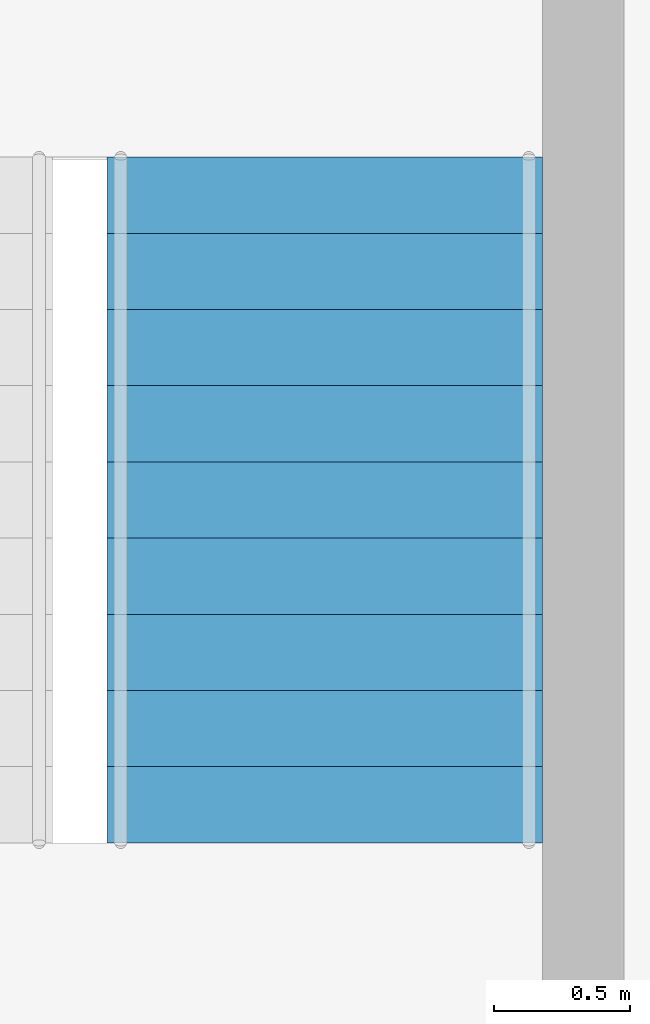
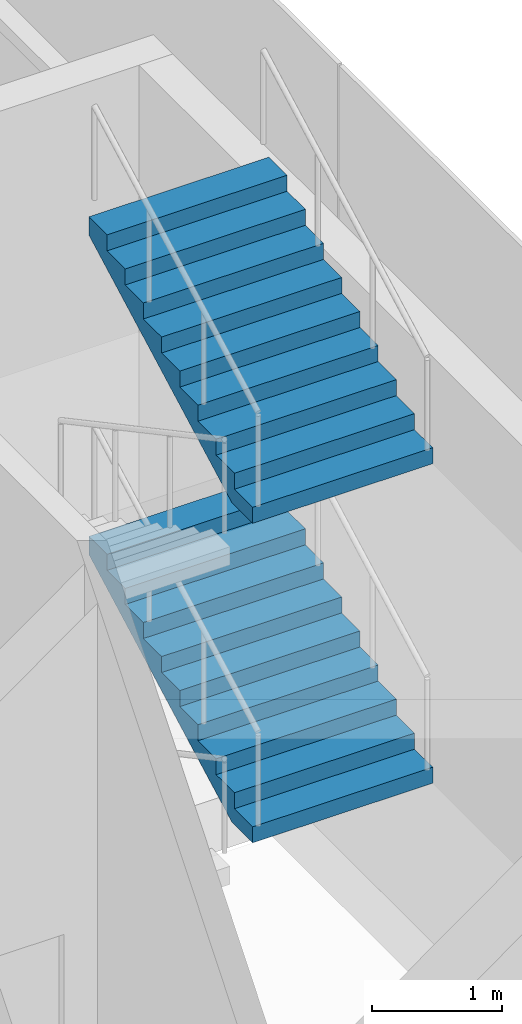
# One storey, part 77 of 100: 2 stair flights, 1 element without a shape of its own.
"""IFC4 building model written with IfcOpenShell, lengths in metres."""

from ifc_helpers import new_model, si_unit, direction, frame, origin, place, context, subcontext, project, spatial, triangles, material, type_object, element, aggregate, save


model = new_model("IFC4")

# Units and contexts
model_context = context("Model", 3, precision=1e-05, world=origin(), true_north=direction((0.0, 1.0)))
body_context = subcontext(model_context, "Body", "Model", "MODEL_VIEW")
ifc_project = project(units=[si_unit("LENGTHUNIT", "METRE"), si_unit("AREAUNIT", "SQUARE_METRE"), si_unit("VOLUMEUNIT", "CUBIC_METRE"), si_unit("PLANEANGLEUNIT", "RADIAN"), si_unit("MASSUNIT", "GRAM", prefix="KILO")], contexts=[model_context])

# Site, building, storey
site_placement = place(None, origin())
site = spatial("IfcSite", under=ifc_project, at=site_placement, CompositionType="ELEMENT")
building_placement = place(site_placement, origin())
building = spatial("IfcBuilding", under=site, at=building_placement, Name="Hakoniwa Tower and Hamabe Station Hall", CompositionType="ELEMENT")
storey_placement = place(building_placement, frame((0.0, 0.0, 9.0)))
storey = spatial("IfcBuildingStorey", under=building, at=storey_placement, Name="L02", CompositionType="ELEMENT", Elevation=9.0)

# Stair, stair flights
ifc_material_1 = material(Name="Concrete C40", Category="concrete")
stair_type = type_object("IfcStairType", Name="STAIR 1600 10X150", PredefinedType="HALF_TURN_STAIR", material=ifc_material_1)
stair_placement = place(storey_placement, origin())
stair = element("IfcStair", 1, at=stair_placement, inside=storey, type_object=stair_type, Name="Escape stair SS4 L02", PredefinedType="HALF_TURN_STAIR")
ifc_material_2 = material(Name="Concrete C40", Category="concrete")
stair_flight_type = type_object("IfcStairFlightType", Name="STAIR FLIGHT 1600", PredefinedType="STRAIGHT", material=ifc_material_2)
stair_flight_1_placement = place(storey_placement, frame((167.64990234375, -19.419921875, 1.5), z_axis=(0.0, 0.0, 1.0), x_axis=(0.0, 1.0, 0.0)))
stair_flight_1 = element("IfcStairFlight", 2, at=stair_flight_1_placement, type_object=stair_flight_type, Name="SS4 flight 2", NumberOfRisers=10, NumberOfTreads=9, PredefinedType="STRAIGHT", RiserHeight=0.15, TreadLength=0.28, context=body_context, shape_type="Tessellation", body=[
    triangles([(0.0, 0.800048828125, 0.0), (0.280029296875, 0.800048828125, 0.0), (0.3173828125, 0.800048828125, 0.0), (0.56005859375, 0.800048828125, 0.1298828125), (0.840087890625, 0.800048828125, 0.280029296875), (1.1201171875, 0.800048828125, 0.429931640625), (1.39990234375, 0.800048828125, 0.579833984375), (1.679931640625, 0.800048828125, 0.72998046875), (1.9599609375, 0.800048828125, 0.8798828125), (2.239990234375, 0.800048828125, 1.030029296875), (2.52001953125, 0.800048828125, 1.179931640625), (2.52001953125, 0.800048828125, 1.35009765625), (2.239990234375, 0.800048828125, 1.35009765625), (2.239990234375, 0.800048828125, 1.199951171875), (1.9599609375, 0.800048828125, 1.199951171875), (1.9599609375, 0.800048828125, 1.050048828125), (1.679931640625, 0.800048828125, 1.050048828125), (1.679931640625, 0.800048828125, 0.89990234375), (1.39990234375, 0.800048828125, 0.89990234375), (1.39990234375, 0.800048828125, 0.75), (1.1201171875, 0.800048828125, 0.75), (1.1201171875, 0.800048828125, 0.60009765625), (0.840087890625, 0.800048828125, 0.60009765625), (0.840087890625, 0.800048828125, 0.449951171875), (0.56005859375, 0.800048828125, 0.449951171875), (0.56005859375, 0.800048828125, 0.300048828125), (0.3173828125, 0.800048828125, 0.300048828125), (0.280029296875, 0.800048828125, 0.300048828125), (0.280029296875, 0.800048828125, 0.14990234375), (0.0, 0.800048828125, 0.14990234375), (0.0, 0.06005859375, 0.0), (0.280029296875, 0.06005859375, 0.0), (0.3173828125, 0.06005859375, 0.0), (0.56005859375, 0.06005859375, 0.1298828125), (0.840087890625, 0.06005859375, 0.280029296875), (1.1201171875, 0.06005859375, 0.429931640625), (1.39990234375, 0.06005859375, 0.579833984375), (1.679931640625, 0.06005859375, 0.72998046875), (1.9599609375, 0.06005859375, 0.8798828125), (2.239990234375, 0.06005859375, 1.030029296875), (2.52001953125, 0.06005859375, 1.179931640625), (2.52001953125, 0.06005859375, 1.35009765625), (2.239990234375, 0.06005859375, 1.35009765625), (2.239990234375, 0.06005859375, 1.199951171875), (1.9599609375, 0.06005859375, 1.199951171875), (1.9599609375, 0.06005859375, 1.050048828125), (1.679931640625, 0.06005859375, 1.050048828125), (1.679931640625, 0.06005859375, 0.89990234375), (1.39990234375, 0.06005859375, 0.89990234375), (1.39990234375, 0.06005859375, 0.75), (1.1201171875, 0.06005859375, 0.75), (1.1201171875, 0.06005859375, 0.60009765625), (0.840087890625, 0.06005859375, 0.60009765625), (0.840087890625, 0.06005859375, 0.449951171875), (0.56005859375, 0.06005859375, 0.449951171875), (0.56005859375, 0.06005859375, 0.300048828125), (0.3173828125, 0.06005859375, 0.300048828125), (0.280029296875, 0.06005859375, 0.300048828125), (0.280029296875, 0.06005859375, 0.14990234375), (0.0, 0.06005859375, 0.14990234375), (0.0, 0.02001953125, 0.0), (0.280029296875, 0.02001953125, 0.0), (0.3173828125, 0.02001953125, 0.0), (0.56005859375, 0.02001953125, 0.1298828125), (0.840087890625, 0.02001953125, 0.280029296875), (1.1201171875, 0.02001953125, 0.429931640625), (1.39990234375, 0.02001953125, 0.579833984375), (1.679931640625, 0.02001953125, 0.72998046875), (1.9599609375, 0.02001953125, 0.8798828125), (2.239990234375, 0.02001953125, 1.030029296875), (2.52001953125, 0.02001953125, 1.179931640625), (2.52001953125, 0.02001953125, 1.35009765625), (2.239990234375, 0.02001953125, 1.35009765625), (2.239990234375, 0.02001953125, 1.199951171875), (1.9599609375, 0.02001953125, 1.199951171875), (1.9599609375, 0.02001953125, 1.050048828125), (1.679931640625, 0.02001953125, 1.050048828125), (1.679931640625, 0.02001953125, 0.89990234375), (1.39990234375, 0.02001953125, 0.89990234375), (1.39990234375, 0.02001953125, 0.75), (1.1201171875, 0.02001953125, 0.75), (1.1201171875, 0.02001953125, 0.60009765625), (0.840087890625, 0.02001953125, 0.60009765625), (0.840087890625, 0.02001953125, 0.449951171875), (0.56005859375, 0.02001953125, 0.449951171875), (0.56005859375, 0.02001953125, 0.300048828125), (0.3173828125, 0.02001953125, 0.300048828125), (0.280029296875, 0.02001953125, 0.300048828125), (0.280029296875, 0.02001953125, 0.14990234375), (0.0, 0.02001953125, 0.14990234375), (0.0, -0.02001953125, 0.0), (0.280029296875, -0.02001953125, 0.0), (0.3173828125, -0.02001953125, 0.0), (0.56005859375, -0.02001953125, 0.1298828125), (0.840087890625, -0.02001953125, 0.280029296875), (1.1201171875, -0.02001953125, 0.429931640625), (1.39990234375, -0.02001953125, 0.579833984375), (1.679931640625, -0.02001953125, 0.72998046875), (1.9599609375, -0.02001953125, 0.8798828125), (2.239990234375, -0.02001953125, 1.030029296875), (2.52001953125, -0.02001953125, 1.179931640625), (2.52001953125, -0.02001953125, 1.35009765625), (2.239990234375, -0.02001953125, 1.35009765625), (2.239990234375, -0.02001953125, 1.199951171875), (1.9599609375, -0.02001953125, 1.199951171875), (1.9599609375, -0.02001953125, 1.050048828125), (1.679931640625, -0.02001953125, 1.050048828125), (1.679931640625, -0.02001953125, 0.89990234375), (1.39990234375, -0.02001953125, 0.89990234375), (1.39990234375, -0.02001953125, 0.75), (1.1201171875, -0.02001953125, 0.75), (1.1201171875, -0.02001953125, 0.60009765625), (0.840087890625, -0.02001953125, 0.60009765625), (0.840087890625, -0.02001953125, 0.449951171875), (0.56005859375, -0.02001953125, 0.449951171875), (0.56005859375, -0.02001953125, 0.300048828125), (0.3173828125, -0.02001953125, 0.300048828125), (0.280029296875, -0.02001953125, 0.300048828125), (0.280029296875, -0.02001953125, 0.14990234375), (0.0, -0.02001953125, 0.14990234375), (0.0, -0.06005859375, 0.0), (0.280029296875, -0.06005859375, 0.0), (0.3173828125, -0.06005859375, 0.0), (0.56005859375, -0.06005859375, 0.1298828125), (0.840087890625, -0.06005859375, 0.280029296875), (1.1201171875, -0.06005859375, 0.429931640625), (1.39990234375, -0.06005859375, 0.579833984375), (1.679931640625, -0.06005859375, 0.72998046875), (1.9599609375, -0.06005859375, 0.8798828125), (2.239990234375, -0.06005859375, 1.030029296875), (2.52001953125, -0.06005859375, 1.179931640625), (2.52001953125, -0.06005859375, 1.35009765625), (2.239990234375, -0.06005859375, 1.35009765625), (2.239990234375, -0.06005859375, 1.199951171875), (1.9599609375, -0.06005859375, 1.199951171875), (1.9599609375, -0.06005859375, 1.050048828125), (1.679931640625, -0.06005859375, 1.050048828125), (1.679931640625, -0.06005859375, 0.89990234375), (1.39990234375, -0.06005859375, 0.89990234375), (1.39990234375, -0.06005859375, 0.75), (1.1201171875, -0.06005859375, 0.75), (1.1201171875, -0.06005859375, 0.60009765625), (0.840087890625, -0.06005859375, 0.60009765625), (0.840087890625, -0.06005859375, 0.449951171875), (0.56005859375, -0.06005859375, 0.449951171875), (0.56005859375, -0.06005859375, 0.300048828125), (0.3173828125, -0.06005859375, 0.300048828125), (0.280029296875, -0.06005859375, 0.300048828125), (0.280029296875, -0.06005859375, 0.14990234375), (0.0, -0.06005859375, 0.14990234375), (0.0, -0.800048828125, 0.0), (0.280029296875, -0.800048828125, 0.0), (0.3173828125, -0.800048828125, 0.0), (0.56005859375, -0.800048828125, 0.1298828125), (0.840087890625, -0.800048828125, 0.280029296875), (1.1201171875, -0.800048828125, 0.429931640625), (1.39990234375, -0.800048828125, 0.579833984375), (1.679931640625, -0.800048828125, 0.72998046875), (1.9599609375, -0.800048828125, 0.8798828125), (2.239990234375, -0.800048828125, 1.030029296875), (2.52001953125, -0.800048828125, 1.179931640625), (2.52001953125, -0.800048828125, 1.35009765625), (2.239990234375, -0.800048828125, 1.35009765625), (2.239990234375, -0.800048828125, 1.199951171875), (1.9599609375, -0.800048828125, 1.199951171875), (1.9599609375, -0.800048828125, 1.050048828125), (1.679931640625, -0.800048828125, 1.050048828125), (1.679931640625, -0.800048828125, 0.89990234375), (1.39990234375, -0.800048828125, 0.89990234375), (1.39990234375, -0.800048828125, 0.75), (1.1201171875, -0.800048828125, 0.75), (1.1201171875, -0.800048828125, 0.60009765625), (0.840087890625, -0.800048828125, 0.60009765625), (0.840087890625, -0.800048828125, 0.449951171875), (0.56005859375, -0.800048828125, 0.449951171875), (0.56005859375, -0.800048828125, 0.300048828125), (0.3173828125, -0.800048828125, 0.300048828125), (0.280029296875, -0.800048828125, 0.300048828125), (0.280029296875, -0.800048828125, 0.14990234375), (0.0, -0.800048828125, 0.14990234375)], [[2, 30, 29], [152, 179, 180], [2, 1, 30], [152, 180, 151], [3, 28, 27], [153, 177, 178], [3, 29, 28], [153, 178, 179], [3, 2, 29], [153, 179, 152], [4, 27, 26], [154, 176, 177], [4, 3, 27], [154, 177, 153], [5, 25, 24], [155, 174, 175], [5, 26, 25], [155, 175, 176], [5, 4, 26], [155, 176, 154], [6, 23, 22], [156, 172, 173], [6, 24, 23], [156, 173, 174], [6, 5, 24], [156, 174, 155], [7, 21, 20], [157, 170, 171], [7, 22, 21], [157, 171, 172], [7, 6, 22], [157, 172, 156], [8, 19, 18], [158, 168, 169], [8, 20, 19], [158, 169, 170], [8, 7, 20], [158, 170, 157], [9, 17, 16], [159, 166, 167], [9, 18, 17], [159, 167, 168], [9, 8, 18], [159, 168, 158], [10, 15, 14], [160, 164, 165], [10, 16, 15], [160, 165, 166], [10, 9, 16], [160, 166, 159], [11, 13, 12], [161, 162, 163], [11, 14, 13], [161, 163, 164], [11, 10, 14], [161, 164, 160], [1, 2, 32], [1, 32, 31], [31, 32, 62], [31, 62, 61], [61, 62, 92], [61, 92, 91], [91, 92, 122], [91, 122, 121], [121, 122, 152], [121, 152, 151], [2, 3, 33], [2, 33, 32], [32, 33, 63], [32, 63, 62], [62, 63, 93], [62, 93, 92], [92, 93, 123], [92, 123, 122], [122, 123, 153], [122, 153, 152], [3, 4, 34], [3, 34, 33], [33, 34, 64], [33, 64, 63], [63, 64, 94], [63, 94, 93], [93, 94, 124], [93, 124, 123], [123, 124, 154], [123, 154, 153], [4, 5, 35], [4, 35, 34], [34, 35, 65], [34, 65, 64], [64, 65, 95], [64, 95, 94], [94, 95, 125], [94, 125, 124], [124, 125, 155], [124, 155, 154], [5, 6, 36], [5, 36, 35], [35, 36, 66], [35, 66, 65], [65, 66, 96], [65, 96, 95], [95, 96, 126], [95, 126, 125], [125, 126, 156], [125, 156, 155], [6, 7, 37], [6, 37, 36], [36, 37, 67], [36, 67, 66], [66, 67, 97], [66, 97, 96], [96, 97, 127], [96, 127, 126], [126, 127, 157], [126, 157, 156], [7, 8, 38], [7, 38, 37], [37, 38, 68], [37, 68, 67], [67, 68, 98], [67, 98, 97], [97, 98, 128], [97, 128, 127], [127, 128, 158], [127, 158, 157], [8, 9, 39], [8, 39, 38], [38, 39, 69], [38, 69, 68], [68, 69, 99], [68, 99, 98], [98, 99, 129], [98, 129, 128], [128, 129, 159], [128, 159, 158], [9, 10, 40], [9, 40, 39], [39, 40, 70], [39, 70, 69], [69, 70, 100], [69, 100, 99], [99, 100, 130], [99, 130, 129], [129, 130, 160], [129, 160, 159], [10, 11, 41], [10, 41, 40], [40, 41, 71], [40, 71, 70], [70, 71, 101], [70, 101, 100], [100, 101, 131], [100, 131, 130], [130, 131, 161], [130, 161, 160], [11, 12, 42], [11, 42, 41], [41, 42, 72], [41, 72, 71], [71, 72, 102], [71, 102, 101], [101, 102, 132], [101, 132, 131], [131, 132, 162], [131, 162, 161], [12, 13, 43], [12, 43, 42], [42, 43, 73], [42, 73, 72], [72, 73, 103], [72, 103, 102], [102, 103, 133], [102, 133, 132], [132, 133, 163], [132, 163, 162], [13, 14, 44], [13, 44, 43], [43, 44, 74], [43, 74, 73], [73, 74, 104], [73, 104, 103], [103, 104, 134], [103, 134, 133], [133, 134, 164], [133, 164, 163], [14, 15, 45], [14, 45, 44], [44, 45, 75], [44, 75, 74], [74, 75, 105], [74, 105, 104], [104, 105, 135], [104, 135, 134], [134, 135, 165], [134, 165, 164], [15, 16, 46], [15, 46, 45], [45, 46, 76], [45, 76, 75], [75, 76, 106], [75, 106, 105], [105, 106, 136], [105, 136, 135], [135, 136, 166], [135, 166, 165], [16, 17, 47], [16, 47, 46], [46, 47, 77], [46, 77, 76], [76, 77, 107], [76, 107, 106], [106, 107, 137], [106, 137, 136], [136, 137, 167], [136, 167, 166], [17, 18, 48], [17, 48, 47], [47, 48, 78], [47, 78, 77], [77, 78, 108], [77, 108, 107], [107, 108, 138], [107, 138, 137], [137, 138, 168], [137, 168, 167], [18, 19, 49], [18, 49, 48], [48, 49, 79], [48, 79, 78], [78, 79, 109], [78, 109, 108], [108, 109, 139], [108, 139, 138], [138, 139, 169], [138, 169, 168], [19, 20, 50], [19, 50, 49], [49, 50, 80], [49, 80, 79], [79, 80, 110], [79, 110, 109], [109, 110, 140], [109, 140, 139], [139, 140, 170], [139, 170, 169], [20, 21, 51], [20, 51, 50], [50, 51, 81], [50, 81, 80], [80, 81, 111], [80, 111, 110], [110, 111, 141], [110, 141, 140], [140, 141, 171], [140, 171, 170], [21, 22, 52], [21, 52, 51], [51, 52, 82], [51, 82, 81], [81, 82, 112], [81, 112, 111], [111, 112, 142], [111, 142, 141], [141, 142, 172], [141, 172, 171], [22, 23, 53], [22, 53, 52], [52, 53, 83], [52, 83, 82], [82, 83, 113], [82, 113, 112], [112, 113, 143], [112, 143, 142], [142, 143, 173], [142, 173, 172], [23, 24, 54], [23, 54, 53], [53, 54, 84], [53, 84, 83], [83, 84, 114], [83, 114, 113], [113, 114, 144], [113, 144, 143], [143, 144, 174], [143, 174, 173], [24, 25, 55], [24, 55, 54], [54, 55, 85], [54, 85, 84], [84, 85, 115], [84, 115, 114], [114, 115, 145], [114, 145, 144], [144, 145, 175], [144, 175, 174], [25, 26, 56], [25, 56, 55], [55, 56, 86], [55, 86, 85], [85, 86, 116], [85, 116, 115], [115, 116, 146], [115, 146, 145], [145, 146, 176], [145, 176, 175], [26, 27, 57], [26, 57, 56], [56, 57, 87], [56, 87, 86], [86, 87, 117], [86, 117, 116], [116, 117, 147], [116, 147, 146], [146, 147, 177], [146, 177, 176], [27, 28, 58], [27, 58, 57], [57, 58, 88], [57, 88, 87], [87, 88, 118], [87, 118, 117], [117, 118, 148], [117, 148, 147], [147, 148, 178], [147, 178, 177], [28, 29, 59], [28, 59, 58], [58, 59, 89], [58, 89, 88], [88, 89, 119], [88, 119, 118], [118, 119, 149], [118, 149, 148], [148, 149, 179], [148, 179, 178], [29, 30, 60], [29, 60, 59], [59, 60, 90], [59, 90, 89], [89, 90, 120], [89, 120, 119], [119, 120, 150], [119, 150, 149], [149, 150, 180], [149, 180, 179], [30, 1, 31], [30, 31, 60], [60, 31, 61], [60, 61, 90], [90, 61, 91], [90, 91, 120], [120, 91, 121], [120, 121, 150], [150, 121, 151], [150, 151, 180]], closed=True),
])
stair_flight_2_placement = place(storey_placement, frame((167.64990234375, -19.419921875, 4.5), z_axis=(0.0, 0.0, 1.0), x_axis=(0.0, 1.0, 0.0)))
stair_flight_2 = element("IfcStairFlight", 3, at=stair_flight_2_placement, type_object=stair_flight_type, Name="SS4 flight 4", NumberOfRisers=10, NumberOfTreads=9, PredefinedType="STRAIGHT", RiserHeight=0.15, TreadLength=0.28, context=body_context, shape_type="Tessellation", body=[
    triangles([(0.0, 0.800048828125, 0.0), (0.280029296875, 0.800048828125, 0.0), (0.3173828125, 0.800048828125, 0.0), (0.56005859375, 0.800048828125, 0.1298828125), (0.840087890625, 0.800048828125, 0.280029296875), (1.1201171875, 0.800048828125, 0.429931640625), (1.39990234375, 0.800048828125, 0.579833984375), (1.679931640625, 0.800048828125, 0.72998046875), (1.9599609375, 0.800048828125, 0.8798828125), (2.239990234375, 0.800048828125, 1.030029296875), (2.52001953125, 0.800048828125, 1.179931640625), (2.52001953125, 0.800048828125, 1.35009765625), (2.239990234375, 0.800048828125, 1.35009765625), (2.239990234375, 0.800048828125, 1.199951171875), (1.9599609375, 0.800048828125, 1.199951171875), (1.9599609375, 0.800048828125, 1.050048828125), (1.679931640625, 0.800048828125, 1.050048828125), (1.679931640625, 0.800048828125, 0.89990234375), (1.39990234375, 0.800048828125, 0.89990234375), (1.39990234375, 0.800048828125, 0.75), (1.1201171875, 0.800048828125, 0.75), (1.1201171875, 0.800048828125, 0.60009765625), (0.840087890625, 0.800048828125, 0.60009765625), (0.840087890625, 0.800048828125, 0.449951171875), (0.56005859375, 0.800048828125, 0.449951171875), (0.56005859375, 0.800048828125, 0.300048828125), (0.3173828125, 0.800048828125, 0.300048828125), (0.280029296875, 0.800048828125, 0.300048828125), (0.280029296875, 0.800048828125, 0.14990234375), (0.0, 0.800048828125, 0.14990234375), (0.0, 0.06005859375, 0.0), (0.280029296875, 0.06005859375, 0.0), (0.3173828125, 0.06005859375, 0.0), (0.56005859375, 0.06005859375, 0.1298828125), (0.840087890625, 0.06005859375, 0.280029296875), (1.1201171875, 0.06005859375, 0.429931640625), (1.39990234375, 0.06005859375, 0.579833984375), (1.679931640625, 0.06005859375, 0.72998046875), (1.9599609375, 0.06005859375, 0.8798828125), (2.239990234375, 0.06005859375, 1.030029296875), (2.52001953125, 0.06005859375, 1.179931640625), (2.52001953125, 0.06005859375, 1.35009765625), (2.239990234375, 0.06005859375, 1.35009765625), (2.239990234375, 0.06005859375, 1.199951171875), (1.9599609375, 0.06005859375, 1.199951171875), (1.9599609375, 0.06005859375, 1.050048828125), (1.679931640625, 0.06005859375, 1.050048828125), (1.679931640625, 0.06005859375, 0.89990234375), (1.39990234375, 0.06005859375, 0.89990234375), (1.39990234375, 0.06005859375, 0.75), (1.1201171875, 0.06005859375, 0.75), (1.1201171875, 0.06005859375, 0.60009765625), (0.840087890625, 0.06005859375, 0.60009765625), (0.840087890625, 0.06005859375, 0.449951171875), (0.56005859375, 0.06005859375, 0.449951171875), (0.56005859375, 0.06005859375, 0.300048828125), (0.3173828125, 0.06005859375, 0.300048828125), (0.280029296875, 0.06005859375, 0.300048828125), (0.280029296875, 0.06005859375, 0.14990234375), (0.0, 0.06005859375, 0.14990234375), (0.0, 0.02001953125, 0.0), (0.280029296875, 0.02001953125, 0.0), (0.3173828125, 0.02001953125, 0.0), (0.56005859375, 0.02001953125, 0.1298828125), (0.840087890625, 0.02001953125, 0.280029296875), (1.1201171875, 0.02001953125, 0.429931640625), (1.39990234375, 0.02001953125, 0.579833984375), (1.679931640625, 0.02001953125, 0.72998046875), (1.9599609375, 0.02001953125, 0.8798828125), (2.239990234375, 0.02001953125, 1.030029296875), (2.52001953125, 0.02001953125, 1.179931640625), (2.52001953125, 0.02001953125, 1.35009765625), (2.239990234375, 0.02001953125, 1.35009765625), (2.239990234375, 0.02001953125, 1.199951171875), (1.9599609375, 0.02001953125, 1.199951171875), (1.9599609375, 0.02001953125, 1.050048828125), (1.679931640625, 0.02001953125, 1.050048828125), (1.679931640625, 0.02001953125, 0.89990234375), (1.39990234375, 0.02001953125, 0.89990234375), (1.39990234375, 0.02001953125, 0.75), (1.1201171875, 0.02001953125, 0.75), (1.1201171875, 0.02001953125, 0.60009765625), (0.840087890625, 0.02001953125, 0.60009765625), (0.840087890625, 0.02001953125, 0.449951171875), (0.56005859375, 0.02001953125, 0.449951171875), (0.56005859375, 0.02001953125, 0.300048828125), (0.3173828125, 0.02001953125, 0.300048828125), (0.280029296875, 0.02001953125, 0.300048828125), (0.280029296875, 0.02001953125, 0.14990234375), (0.0, 0.02001953125, 0.14990234375), (0.0, -0.02001953125, 0.0), (0.280029296875, -0.02001953125, 0.0), (0.3173828125, -0.02001953125, 0.0), (0.56005859375, -0.02001953125, 0.1298828125), (0.840087890625, -0.02001953125, 0.280029296875), (1.1201171875, -0.02001953125, 0.429931640625), (1.39990234375, -0.02001953125, 0.579833984375), (1.679931640625, -0.02001953125, 0.72998046875), (1.9599609375, -0.02001953125, 0.8798828125), (2.239990234375, -0.02001953125, 1.030029296875), (2.52001953125, -0.02001953125, 1.179931640625), (2.52001953125, -0.02001953125, 1.35009765625), (2.239990234375, -0.02001953125, 1.35009765625), (2.239990234375, -0.02001953125, 1.199951171875), (1.9599609375, -0.02001953125, 1.199951171875), (1.9599609375, -0.02001953125, 1.050048828125), (1.679931640625, -0.02001953125, 1.050048828125), (1.679931640625, -0.02001953125, 0.89990234375), (1.39990234375, -0.02001953125, 0.89990234375), (1.39990234375, -0.02001953125, 0.75), (1.1201171875, -0.02001953125, 0.75), (1.1201171875, -0.02001953125, 0.60009765625), (0.840087890625, -0.02001953125, 0.60009765625), (0.840087890625, -0.02001953125, 0.449951171875), (0.56005859375, -0.02001953125, 0.449951171875), (0.56005859375, -0.02001953125, 0.300048828125), (0.3173828125, -0.02001953125, 0.300048828125), (0.280029296875, -0.02001953125, 0.300048828125), (0.280029296875, -0.02001953125, 0.14990234375), (0.0, -0.02001953125, 0.14990234375), (0.0, -0.06005859375, 0.0), (0.280029296875, -0.06005859375, 0.0), (0.3173828125, -0.06005859375, 0.0), (0.56005859375, -0.06005859375, 0.1298828125), (0.840087890625, -0.06005859375, 0.280029296875), (1.1201171875, -0.06005859375, 0.429931640625), (1.39990234375, -0.06005859375, 0.579833984375), (1.679931640625, -0.06005859375, 0.72998046875), (1.9599609375, -0.06005859375, 0.8798828125), (2.239990234375, -0.06005859375, 1.030029296875), (2.52001953125, -0.06005859375, 1.179931640625), (2.52001953125, -0.06005859375, 1.35009765625), (2.239990234375, -0.06005859375, 1.35009765625), (2.239990234375, -0.06005859375, 1.199951171875), (1.9599609375, -0.06005859375, 1.199951171875), (1.9599609375, -0.06005859375, 1.050048828125), (1.679931640625, -0.06005859375, 1.050048828125), (1.679931640625, -0.06005859375, 0.89990234375), (1.39990234375, -0.06005859375, 0.89990234375), (1.39990234375, -0.06005859375, 0.75), (1.1201171875, -0.06005859375, 0.75), (1.1201171875, -0.06005859375, 0.60009765625), (0.840087890625, -0.06005859375, 0.60009765625), (0.840087890625, -0.06005859375, 0.449951171875), (0.56005859375, -0.06005859375, 0.449951171875), (0.56005859375, -0.06005859375, 0.300048828125), (0.3173828125, -0.06005859375, 0.300048828125), (0.280029296875, -0.06005859375, 0.300048828125), (0.280029296875, -0.06005859375, 0.14990234375), (0.0, -0.06005859375, 0.14990234375), (0.0, -0.800048828125, 0.0), (0.280029296875, -0.800048828125, 0.0), (0.3173828125, -0.800048828125, 0.0), (0.56005859375, -0.800048828125, 0.1298828125), (0.840087890625, -0.800048828125, 0.280029296875), (1.1201171875, -0.800048828125, 0.429931640625), (1.39990234375, -0.800048828125, 0.579833984375), (1.679931640625, -0.800048828125, 0.72998046875), (1.9599609375, -0.800048828125, 0.8798828125), (2.239990234375, -0.800048828125, 1.030029296875), (2.52001953125, -0.800048828125, 1.179931640625), (2.52001953125, -0.800048828125, 1.35009765625), (2.239990234375, -0.800048828125, 1.35009765625), (2.239990234375, -0.800048828125, 1.199951171875), (1.9599609375, -0.800048828125, 1.199951171875), (1.9599609375, -0.800048828125, 1.050048828125), (1.679931640625, -0.800048828125, 1.050048828125), (1.679931640625, -0.800048828125, 0.89990234375), (1.39990234375, -0.800048828125, 0.89990234375), (1.39990234375, -0.800048828125, 0.75), (1.1201171875, -0.800048828125, 0.75), (1.1201171875, -0.800048828125, 0.60009765625), (0.840087890625, -0.800048828125, 0.60009765625), (0.840087890625, -0.800048828125, 0.449951171875), (0.56005859375, -0.800048828125, 0.449951171875), (0.56005859375, -0.800048828125, 0.300048828125), (0.3173828125, -0.800048828125, 0.300048828125), (0.280029296875, -0.800048828125, 0.300048828125), (0.280029296875, -0.800048828125, 0.14990234375), (0.0, -0.800048828125, 0.14990234375)], [[2, 30, 29], [152, 179, 180], [2, 1, 30], [152, 180, 151], [3, 28, 27], [153, 177, 178], [3, 29, 28], [153, 178, 179], [3, 2, 29], [153, 179, 152], [4, 27, 26], [154, 176, 177], [4, 3, 27], [154, 177, 153], [5, 25, 24], [155, 174, 175], [5, 26, 25], [155, 175, 176], [5, 4, 26], [155, 176, 154], [6, 23, 22], [156, 172, 173], [6, 24, 23], [156, 173, 174], [6, 5, 24], [156, 174, 155], [7, 21, 20], [157, 170, 171], [7, 22, 21], [157, 171, 172], [7, 6, 22], [157, 172, 156], [8, 19, 18], [158, 168, 169], [8, 20, 19], [158, 169, 170], [8, 7, 20], [158, 170, 157], [9, 17, 16], [159, 166, 167], [9, 18, 17], [159, 167, 168], [9, 8, 18], [159, 168, 158], [10, 15, 14], [160, 164, 165], [10, 16, 15], [160, 165, 166], [10, 9, 16], [160, 166, 159], [11, 13, 12], [161, 162, 163], [11, 14, 13], [161, 163, 164], [11, 10, 14], [161, 164, 160], [1, 2, 32], [1, 32, 31], [31, 32, 62], [31, 62, 61], [61, 62, 92], [61, 92, 91], [91, 92, 122], [91, 122, 121], [121, 122, 152], [121, 152, 151], [2, 3, 33], [2, 33, 32], [32, 33, 63], [32, 63, 62], [62, 63, 93], [62, 93, 92], [92, 93, 123], [92, 123, 122], [122, 123, 153], [122, 153, 152], [3, 4, 34], [3, 34, 33], [33, 34, 64], [33, 64, 63], [63, 64, 94], [63, 94, 93], [93, 94, 124], [93, 124, 123], [123, 124, 154], [123, 154, 153], [4, 5, 35], [4, 35, 34], [34, 35, 65], [34, 65, 64], [64, 65, 95], [64, 95, 94], [94, 95, 125], [94, 125, 124], [124, 125, 155], [124, 155, 154], [5, 6, 36], [5, 36, 35], [35, 36, 66], [35, 66, 65], [65, 66, 96], [65, 96, 95], [95, 96, 126], [95, 126, 125], [125, 126, 156], [125, 156, 155], [6, 7, 37], [6, 37, 36], [36, 37, 67], [36, 67, 66], [66, 67, 97], [66, 97, 96], [96, 97, 127], [96, 127, 126], [126, 127, 157], [126, 157, 156], [7, 8, 38], [7, 38, 37], [37, 38, 68], [37, 68, 67], [67, 68, 98], [67, 98, 97], [97, 98, 128], [97, 128, 127], [127, 128, 158], [127, 158, 157], [8, 9, 39], [8, 39, 38], [38, 39, 69], [38, 69, 68], [68, 69, 99], [68, 99, 98], [98, 99, 129], [98, 129, 128], [128, 129, 159], [128, 159, 158], [9, 10, 40], [9, 40, 39], [39, 40, 70], [39, 70, 69], [69, 70, 100], [69, 100, 99], [99, 100, 130], [99, 130, 129], [129, 130, 160], [129, 160, 159], [10, 11, 41], [10, 41, 40], [40, 41, 71], [40, 71, 70], [70, 71, 101], [70, 101, 100], [100, 101, 131], [100, 131, 130], [130, 131, 161], [130, 161, 160], [11, 12, 42], [11, 42, 41], [41, 42, 72], [41, 72, 71], [71, 72, 102], [71, 102, 101], [101, 102, 132], [101, 132, 131], [131, 132, 162], [131, 162, 161], [12, 13, 43], [12, 43, 42], [42, 43, 73], [42, 73, 72], [72, 73, 103], [72, 103, 102], [102, 103, 133], [102, 133, 132], [132, 133, 163], [132, 163, 162], [13, 14, 44], [13, 44, 43], [43, 44, 74], [43, 74, 73], [73, 74, 104], [73, 104, 103], [103, 104, 134], [103, 134, 133], [133, 134, 164], [133, 164, 163], [14, 15, 45], [14, 45, 44], [44, 45, 75], [44, 75, 74], [74, 75, 105], [74, 105, 104], [104, 105, 135], [104, 135, 134], [134, 135, 165], [134, 165, 164], [15, 16, 46], [15, 46, 45], [45, 46, 76], [45, 76, 75], [75, 76, 106], [75, 106, 105], [105, 106, 136], [105, 136, 135], [135, 136, 166], [135, 166, 165], [16, 17, 47], [16, 47, 46], [46, 47, 77], [46, 77, 76], [76, 77, 107], [76, 107, 106], [106, 107, 137], [106, 137, 136], [136, 137, 167], [136, 167, 166], [17, 18, 48], [17, 48, 47], [47, 48, 78], [47, 78, 77], [77, 78, 108], [77, 108, 107], [107, 108, 138], [107, 138, 137], [137, 138, 168], [137, 168, 167], [18, 19, 49], [18, 49, 48], [48, 49, 79], [48, 79, 78], [78, 79, 109], [78, 109, 108], [108, 109, 139], [108, 139, 138], [138, 139, 169], [138, 169, 168], [19, 20, 50], [19, 50, 49], [49, 50, 80], [49, 80, 79], [79, 80, 110], [79, 110, 109], [109, 110, 140], [109, 140, 139], [139, 140, 170], [139, 170, 169], [20, 21, 51], [20, 51, 50], [50, 51, 81], [50, 81, 80], [80, 81, 111], [80, 111, 110], [110, 111, 141], [110, 141, 140], [140, 141, 171], [140, 171, 170], [21, 22, 52], [21, 52, 51], [51, 52, 82], [51, 82, 81], [81, 82, 112], [81, 112, 111], [111, 112, 142], [111, 142, 141], [141, 142, 172], [141, 172, 171], [22, 23, 53], [22, 53, 52], [52, 53, 83], [52, 83, 82], [82, 83, 113], [82, 113, 112], [112, 113, 143], [112, 143, 142], [142, 143, 173], [142, 173, 172], [23, 24, 54], [23, 54, 53], [53, 54, 84], [53, 84, 83], [83, 84, 114], [83, 114, 113], [113, 114, 144], [113, 144, 143], [143, 144, 174], [143, 174, 173], [24, 25, 55], [24, 55, 54], [54, 55, 85], [54, 85, 84], [84, 85, 115], [84, 115, 114], [114, 115, 145], [114, 145, 144], [144, 145, 175], [144, 175, 174], [25, 26, 56], [25, 56, 55], [55, 56, 86], [55, 86, 85], [85, 86, 116], [85, 116, 115], [115, 116, 146], [115, 146, 145], [145, 146, 176], [145, 176, 175], [26, 27, 57], [26, 57, 56], [56, 57, 87], [56, 87, 86], [86, 87, 117], [86, 117, 116], [116, 117, 147], [116, 147, 146], [146, 147, 177], [146, 177, 176], [27, 28, 58], [27, 58, 57], [57, 58, 88], [57, 88, 87], [87, 88, 118], [87, 118, 117], [117, 118, 148], [117, 148, 147], [147, 148, 178], [147, 178, 177], [28, 29, 59], [28, 59, 58], [58, 59, 89], [58, 89, 88], [88, 89, 119], [88, 119, 118], [118, 119, 149], [118, 149, 148], [148, 149, 179], [148, 179, 178], [29, 30, 60], [29, 60, 59], [59, 60, 90], [59, 90, 89], [89, 90, 120], [89, 120, 119], [119, 120, 150], [119, 150, 149], [149, 150, 180], [149, 180, 179], [30, 1, 31], [30, 31, 60], [60, 31, 61], [60, 61, 90], [90, 61, 91], [90, 91, 120], [120, 91, 121], [120, 121, 150], [150, 121, 151], [150, 151, 180]], closed=True),
])
aggregate(stair, [stair_flight_1, stair_flight_2])

save(model, "model.ifc")
